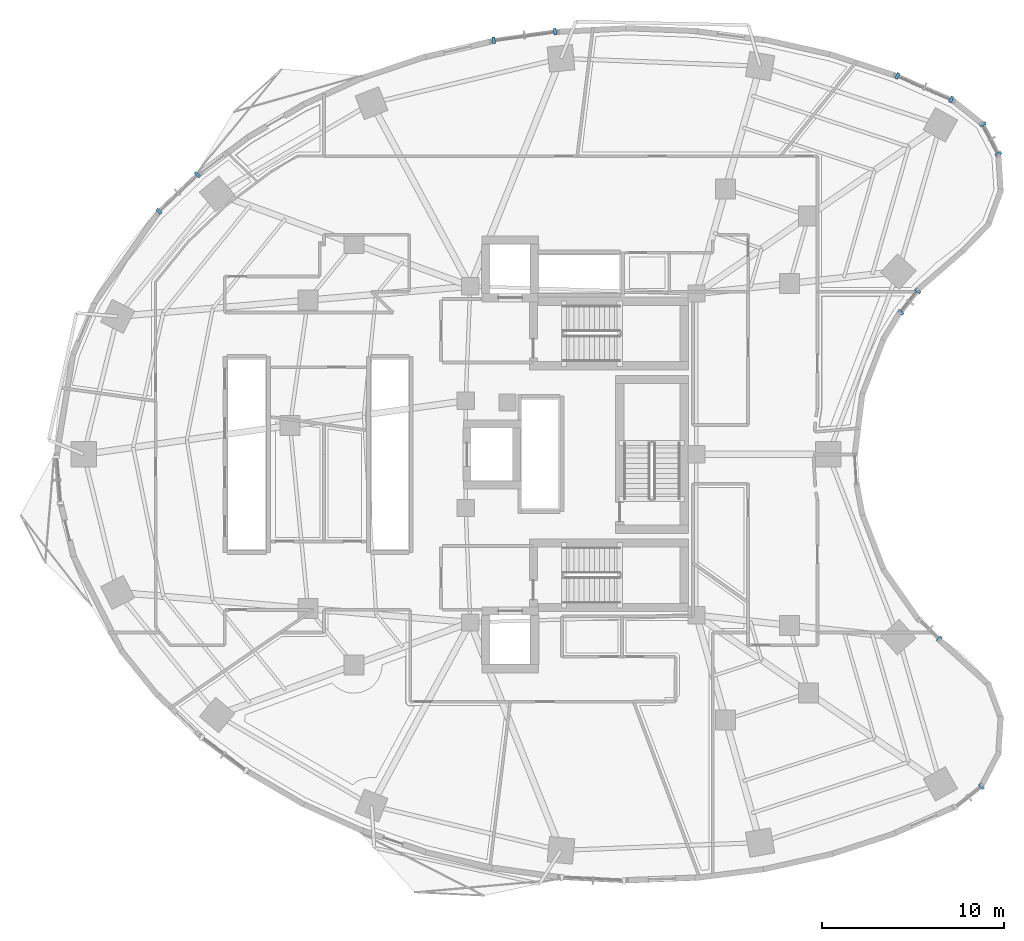
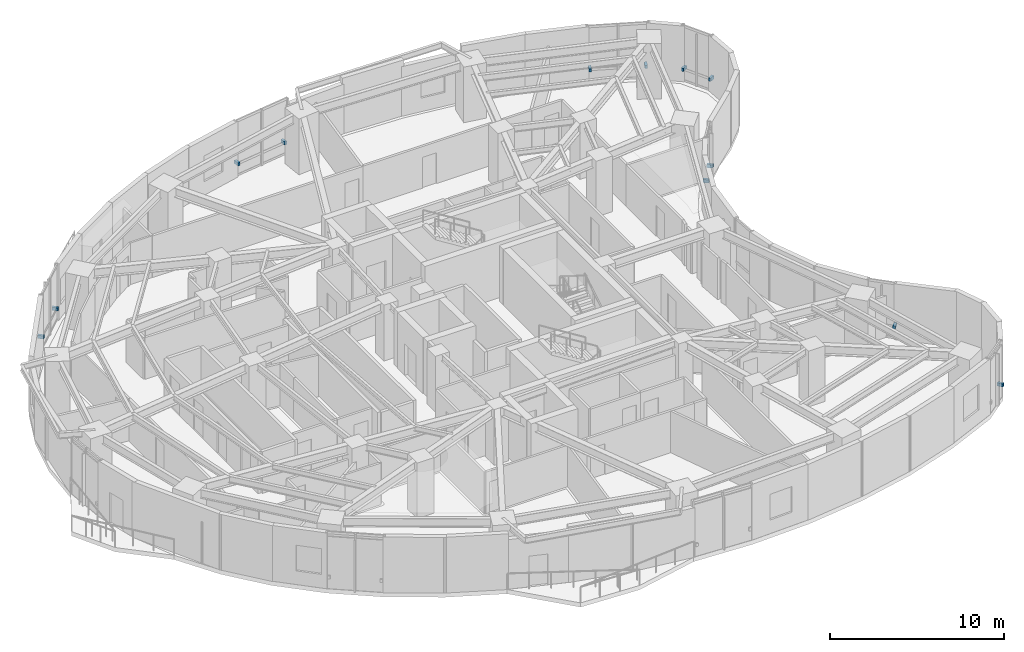
# One storey, part 13 of 16: 12 discrete accessories.
"""IFC4 building model written with IfcOpenShell, lengths in metres."""

from ifc_helpers import new_model, si_unit, direction, frame, origin, origin_2d, place, context, subcontext, project, spatial, rectangle, extrude, material, type_object, element, save


model = new_model("IFC4")

# Units and contexts
model_context = context("Model", 3, precision=1e-05, world=origin(), true_north=direction((0.0, 1.0)))
body_context = subcontext(model_context, "Body", "Model", "MODEL_VIEW")
ifc_project = project(units=[si_unit("LENGTHUNIT", "METRE"), si_unit("AREAUNIT", "SQUARE_METRE"), si_unit("VOLUMEUNIT", "CUBIC_METRE"), si_unit("PLANEANGLEUNIT", "RADIAN"), si_unit("MASSUNIT", "GRAM", prefix="KILO")], contexts=[model_context])

# Site, building, storey
site_placement = place(None, origin())
site = spatial("IfcSite", under=ifc_project, at=site_placement, CompositionType="ELEMENT")
building_placement = place(site_placement, origin())
building = spatial("IfcBuilding", under=site, at=building_placement, Name="Korentha Bioscience Tower", CompositionType="ELEMENT")
storey_placement = place(building_placement, frame((0.0, 0.0, 55.199951171875)))
storey = spatial("IfcBuildingStorey", under=building, at=storey_placement, Name="L12", CompositionType="ELEMENT", Elevation=55.199951171875)

# Discrete accessories
ifc_material = material(Name="Stainless Steel 316", Category="steel")
discrete_accessory_type = type_object("IfcDiscreteAccessoryType", Name="Stainless Steel Solar-Screen Outrigger Bracket", PredefinedType="BRACKET", material=ifc_material)
for number, where, z_axis, x_axis, name in (
    (1, (51.572998046875, 46.536865234375, 0.740234375), (0.0, 0.0, 1.0), (-0.91593909057, 0.401317308828, 0.0), "CW-L12-01 Solar-Screen Support Bracket 1"),
    (2, (48.61279296875, 47.833740234375, 0.740234375), (0.0, 0.0, 1.0), (-0.91593909057, 0.401317308828, 0.0), "CW-L12-01 Solar-Screen Support Bracket 2"),
    (3, (29.76611328125, 50.271240234375, 0.740234375), (0.0, 0.0, 1.0), (-0.990167372968, -0.139887717511, 0.0), "CW-L12-07 Solar-Screen Support Bracket 1"),
    (4, (26.39306640625, 49.794677734375, 0.740234375), (0.0, 0.0, 1.0), (-0.990167372968, -0.139887717511, 0.0), "CW-L12-07 Solar-Screen Support Bracket 2"),
    (5, (10.08251953125, 42.396728515625, 0.740234375), (0.0, 0.0, 1.0), (-0.723641761581, -0.690175775361, 0.0), "CW-L12-13 Solar-Screen Support Bracket 1"),
    (6, (7.966552734375, 40.378662109375, 0.740234375), (0.0, 0.0, 1.0), (-0.723641761581, -0.690175775361, 0.0), "CW-L12-13 Solar-Screen Support Bracket 2"),
    (7, (53.232421875, 8.72998046875, 0.740234375), (0.0, 0.0, 1.0), (0.782287851332, 0.62291710336, 0.0), "CW-L12-37 Solar-Screen Support Bracket 2"),
    (8, (50.907470703125, 16.841552734375, 0.740234375), (0.0, 0.0, 1.0), (-0.713279246754, 0.700879958445, 0.0), "CW-L12-43 Solar-Screen Support Bracket 1"),
    (9, (48.794921875, 34.812255859375, 0.740234375), (0.0, 0.0, 1.0), (0.622520324648, 0.782603632371, 0.0), "CW-L12-55 Solar-Screen Support Bracket 1"),
    (10, (49.736083984375, 35.995361328125, 0.740234375), (0.0, 0.0, 1.0), (0.622520324648, 0.782603632371, 0.0), "CW-L12-55 Solar-Screen Support Bracket 2"),
    (11, (54.169921875, 43.530517578125, 0.740234375), (0.0, 0.0, 1.0), (-0.463008597697, 0.886353788539, 0.0), "CW-L12-61 Solar-Screen Support Bracket 1"),
    (12, (53.31103515625, 45.1748046875, 0.740234375), (0.0, 0.0, 1.0), (-0.463008597697, 0.886353788539, 0.0), "CW-L12-61 Solar-Screen Support Bracket 2"),
):
    element("IfcDiscreteAccessory", number, at=place(storey_placement, frame(where, z_axis=z_axis, x_axis=x_axis)), inside=storey, type_object=discrete_accessory_type, Name=name, PredefinedType="BRACKET", context=body_context, shape_type="SweptSolid", body=[
        extrude(rectangle(XDim=0.159912109375, YDim=0.360107421875, at=origin_2d()), origin(), (0.0, 0.0, 1.0), 0.219970703125),
    ])

save(model, "model.ifc")
